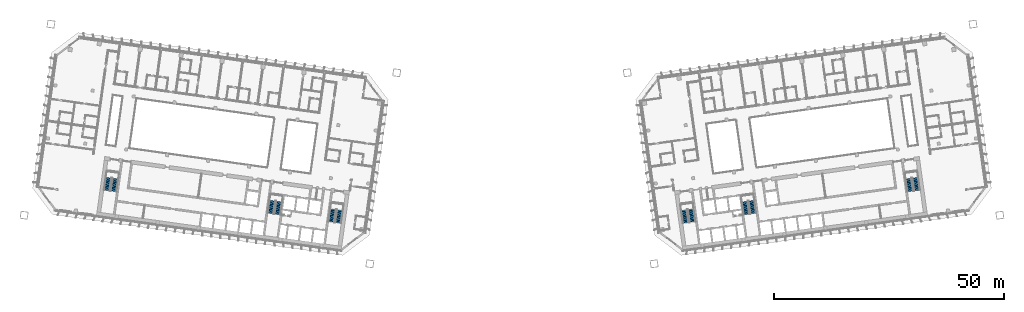
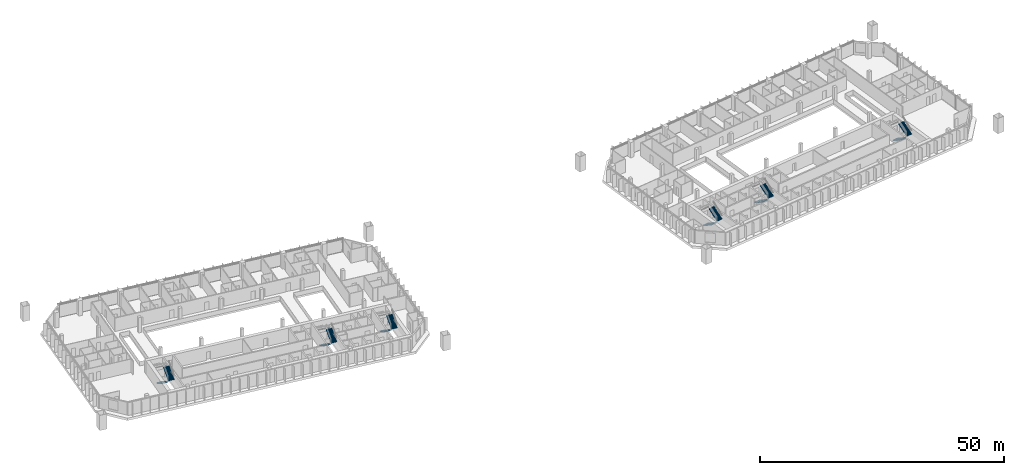
# One storey, part 22 of 25: 12 stair flights, 6 elements without a shape of their own.
"""IFC4 building model written with IfcOpenShell, lengths in metres."""

from ifc_helpers import new_model, si_unit, direction, frame, origin, place, context, subcontext, project, spatial, polyline, outline, extrude, material, type_object, element, aggregate, save


model = new_model("IFC4")

# Units and contexts
model_context = context("Model", 3, precision=1e-05, world=origin(), true_north=direction((0.0, 1.0)))
body_context = subcontext(model_context, "Body", "Model", "MODEL_VIEW")
ifc_project = project(units=[si_unit("LENGTHUNIT", "METRE"), si_unit("AREAUNIT", "SQUARE_METRE"), si_unit("VOLUMEUNIT", "CUBIC_METRE"), si_unit("PLANEANGLEUNIT", "RADIAN"), si_unit("MASSUNIT", "GRAM", prefix="KILO")], contexts=[model_context])

# Site, building, storey
site_placement = place(None, origin())
site = spatial("IfcSite", under=ifc_project, at=site_placement, CompositionType="ELEMENT")
building_placement = place(site_placement, origin())
building = spatial("IfcBuilding", under=site, at=building_placement, Name="Mirante Cascada Hotel Towers", CompositionType="ELEMENT")
storey_placement = place(building_placement, frame((0.0, 0.0, 102.5)))
storey = spatial("IfcBuildingStorey", under=building, at=storey_placement, Name="L22", CompositionType="ELEMENT", Elevation=102.5)

# Stair, stair flights
ifc_material_1 = material(Name="Concrete C35/45", Category="concrete")
stair_type = type_object("IfcStairType", Name="Exit stair half-turn 1350 concrete C35/45", PredefinedType="HALF_TURN_STAIR", material=ifc_material_1)
stair_1_placement = place(storey_placement, origin())
stair_1 = element("IfcStair", 1, at=stair_1_placement, inside=storey, type_object=stair_type, Name="L22 Exit stair A", PredefinedType="HALF_TURN_STAIR")
ifc_material_2 = material(Name="Concrete C35/45", Category="concrete")
stair_flight_type = type_object("IfcStairFlightType", Name="Exit stair flight 1350 concrete C35/45", PredefinedType="STRAIGHT", material=ifc_material_2)
stair_flight_1_placement = place(storey_placement, frame((-38.9417, -11.195, 0.0), z_axis=(0.0, 0.0, 1.0), x_axis=(-0.1391731, -0.9902681, 0.0)))
stair_flight_1 = element("IfcStairFlight", 2, at=stair_flight_1_placement, type_object=stair_flight_type, Name="ST1-A flight 1", NumberOfRisers=11, NumberOfTreads=10, PredefinedType="STRAIGHT", RiserHeight=0.172727273, TreadLength=0.28, context=body_context, shape_type="SweptSolid", body=[
    extrude(outline(polyline([(0.0, 0.0), (0.0, 0.1727), (0.28, 0.1727), (0.28, 0.3455), (0.56, 0.3455), (0.56, 0.5182), (0.84, 0.5182), (0.84, 0.6909), (1.12, 0.6909), (1.12, 0.8636), (1.4, 0.8636), (1.4, 1.0364), (1.68, 1.0364), (1.68, 1.2091), (1.96, 1.2091), (1.96, 1.3818), (2.24, 1.3818), (2.24, 1.5545), (2.52, 1.5545), (2.52, 1.7273), (2.8, 1.7273), (2.8, 1.9), (2.8, 1.551), (0.2857, 0.0), (0.0, 0.0)])), frame((0.0, 0.675, 0.0), z_axis=(0.0, -1.0, 0.0), x_axis=(1.0, 0.0, 0.0)), (0.0, 0.0, 1.0), 1.35),
])
stair_flight_2_placement = place(storey_placement, frame((-37.846, -14.1765, 1.9), z_axis=(0.0, 0.0, 1.0), x_axis=(0.1391731, 0.9902681, 0.0)))
stair_flight_2 = element("IfcStairFlight", 3, at=stair_flight_2_placement, type_object=stair_flight_type, Name="ST1-A flight 2", NumberOfRisers=11, NumberOfTreads=10, PredefinedType="STRAIGHT", RiserHeight=0.172727273, TreadLength=0.28, context=body_context, shape_type="SweptSolid", body=[
    extrude(outline(polyline([(0.0, 0.0), (0.0, 0.1727), (0.28, 0.1727), (0.28, 0.3455), (0.56, 0.3455), (0.56, 0.5182), (0.84, 0.5182), (0.84, 0.6909), (1.12, 0.6909), (1.12, 0.8636), (1.4, 0.8636), (1.4, 1.0364), (1.68, 1.0364), (1.68, 1.2091), (1.96, 1.2091), (1.96, 1.3818), (2.24, 1.3818), (2.24, 1.5545), (2.52, 1.5545), (2.52, 1.7273), (2.8, 1.7273), (2.8, 1.9), (2.8, 1.551), (0.2857, 0.0), (0.0, 0.0)])), frame((0.0, 0.675, 0.0), z_axis=(0.0, -1.0, 0.0), x_axis=(1.0, 0.0, 0.0)), (0.0, 0.0, 1.0), 1.35),
])
aggregate(stair_1, [stair_flight_1, stair_flight_2])

stair_2_placement = place(storey_placement, origin())
stair_2 = element("IfcStair", 4, at=stair_2_placement, inside=storey, type_object=stair_type, Name="L22 Exit stair B", PredefinedType="HALF_TURN_STAIR")
stair_flight_3_placement = place(storey_placement, frame((-52.1618, -9.3371, 0.0), z_axis=(0.0, 0.0, 1.0), x_axis=(-0.1391731, -0.9902681, 0.0)))
stair_flight_3 = element("IfcStairFlight", 5, at=stair_flight_3_placement, type_object=stair_flight_type, Name="ST1-B flight 1", NumberOfRisers=11, NumberOfTreads=10, PredefinedType="STRAIGHT", RiserHeight=0.172727273, TreadLength=0.28, context=body_context, shape_type="SweptSolid", body=[
    extrude(outline(polyline([(0.0, 0.0), (0.0, 0.1727), (0.28, 0.1727), (0.28, 0.3455), (0.56, 0.3455), (0.56, 0.5182), (0.84, 0.5182), (0.84, 0.6909), (1.12, 0.6909), (1.12, 0.8636), (1.4, 0.8636), (1.4, 1.0364), (1.68, 1.0364), (1.68, 1.2091), (1.96, 1.2091), (1.96, 1.3818), (2.24, 1.3818), (2.24, 1.5545), (2.52, 1.5545), (2.52, 1.7273), (2.8, 1.7273), (2.8, 1.9), (2.8, 1.551), (0.2857, 0.0), (0.0, 0.0)])), frame((0.0, 0.675, 0.0), z_axis=(0.0, -1.0, 0.0), x_axis=(1.0, 0.0, 0.0)), (0.0, 0.0, 1.0), 1.35),
])
stair_flight_4_placement = place(storey_placement, frame((-51.0661, -12.3186, 1.9), z_axis=(0.0, 0.0, 1.0), x_axis=(0.1391731, 0.9902681, 0.0)))
stair_flight_4 = element("IfcStairFlight", 6, at=stair_flight_4_placement, type_object=stair_flight_type, Name="ST1-B flight 2", NumberOfRisers=11, NumberOfTreads=10, PredefinedType="STRAIGHT", RiserHeight=0.172727273, TreadLength=0.28, context=body_context, shape_type="SweptSolid", body=[
    extrude(outline(polyline([(0.0, 0.0), (0.0, 0.1727), (0.28, 0.1727), (0.28, 0.3455), (0.56, 0.3455), (0.56, 0.5182), (0.84, 0.5182), (0.84, 0.6909), (1.12, 0.6909), (1.12, 0.8636), (1.4, 0.8636), (1.4, 1.0364), (1.68, 1.0364), (1.68, 1.2091), (1.96, 1.2091), (1.96, 1.3818), (2.24, 1.3818), (2.24, 1.5545), (2.52, 1.5545), (2.52, 1.7273), (2.8, 1.7273), (2.8, 1.9), (2.8, 1.551), (0.2857, 0.0), (0.0, 0.0)])), frame((0.0, 0.675, 0.0), z_axis=(0.0, -1.0, 0.0), x_axis=(1.0, 0.0, 0.0)), (0.0, 0.0, 1.0), 1.35),
])
aggregate(stair_2, [stair_flight_3, stair_flight_4])

stair_3_placement = place(storey_placement, origin())
stair_3 = element("IfcStair", 7, at=stair_3_placement, inside=storey, type_object=stair_type, Name="L22 Exit stair C", PredefinedType="HALF_TURN_STAIR")
stair_flight_5_placement = place(storey_placement, frame((-87.8115, -4.3268, 0.0), z_axis=(0.0, 0.0, 1.0), x_axis=(-0.1391731, -0.9902681, 0.0)))
stair_flight_5 = element("IfcStairFlight", 8, at=stair_flight_5_placement, type_object=stair_flight_type, Name="ST1-C flight 1", NumberOfRisers=11, NumberOfTreads=10, PredefinedType="STRAIGHT", RiserHeight=0.172727273, TreadLength=0.28, context=body_context, shape_type="SweptSolid", body=[
    extrude(outline(polyline([(0.0, 0.0), (0.0, 0.1727), (0.28, 0.1727), (0.28, 0.3455), (0.56, 0.3455), (0.56, 0.5182), (0.84, 0.5182), (0.84, 0.6909), (1.12, 0.6909), (1.12, 0.8636), (1.4, 0.8636), (1.4, 1.0364), (1.68, 1.0364), (1.68, 1.2091), (1.96, 1.2091), (1.96, 1.3818), (2.24, 1.3818), (2.24, 1.5545), (2.52, 1.5545), (2.52, 1.7273), (2.8, 1.7273), (2.8, 1.9), (2.8, 1.551), (0.2857, 0.0), (0.0, 0.0)])), frame((0.0, 0.675, 0.0), z_axis=(0.0, -1.0, 0.0), x_axis=(1.0, 0.0, 0.0)), (0.0, 0.0, 1.0), 1.35),
])
stair_flight_6_placement = place(storey_placement, frame((-86.7157, -7.3084, 1.9), z_axis=(0.0, 0.0, 1.0), x_axis=(0.1391731, 0.9902681, 0.0)))
stair_flight_6 = element("IfcStairFlight", 9, at=stair_flight_6_placement, type_object=stair_flight_type, Name="ST1-C flight 2", NumberOfRisers=11, NumberOfTreads=10, PredefinedType="STRAIGHT", RiserHeight=0.172727273, TreadLength=0.28, context=body_context, shape_type="SweptSolid", body=[
    extrude(outline(polyline([(0.0, 0.0), (0.0, 0.1727), (0.28, 0.1727), (0.28, 0.3455), (0.56, 0.3455), (0.56, 0.5182), (0.84, 0.5182), (0.84, 0.6909), (1.12, 0.6909), (1.12, 0.8636), (1.4, 0.8636), (1.4, 1.0364), (1.68, 1.0364), (1.68, 1.2091), (1.96, 1.2091), (1.96, 1.3818), (2.24, 1.3818), (2.24, 1.5545), (2.52, 1.5545), (2.52, 1.7273), (2.8, 1.7273), (2.8, 1.9), (2.8, 1.551), (0.2857, 0.0), (0.0, 0.0)])), frame((0.0, 0.675, 0.0), z_axis=(0.0, -1.0, 0.0), x_axis=(1.0, 0.0, 0.0)), (0.0, 0.0, 1.0), 1.35),
])
aggregate(stair_3, [stair_flight_5, stair_flight_6])

stair_4_placement = place(storey_placement, origin())
stair_4 = element("IfcStair", 10, at=stair_4_placement, inside=storey, type_object=stair_type, Name="L22 Exit stair A", PredefinedType="HALF_TURN_STAIR")
stair_flight_7_placement = place(storey_placement, frame((37.4563, -11.4038, 0.0), z_axis=(0.0, 0.0, 1.0), x_axis=(0.1391731, -0.9902681, 0.0)))
stair_flight_7 = element("IfcStairFlight", 11, at=stair_flight_7_placement, type_object=stair_flight_type, Name="ST2-A flight 1", NumberOfRisers=11, NumberOfTreads=10, PredefinedType="STRAIGHT", RiserHeight=0.172727273, TreadLength=0.28, context=body_context, shape_type="SweptSolid", body=[
    extrude(outline(polyline([(0.0, 0.0), (0.0, 0.1727), (0.28, 0.1727), (0.28, 0.3455), (0.56, 0.3455), (0.56, 0.5182), (0.84, 0.5182), (0.84, 0.6909), (1.12, 0.6909), (1.12, 0.8636), (1.4, 0.8636), (1.4, 1.0364), (1.68, 1.0364), (1.68, 1.2091), (1.96, 1.2091), (1.96, 1.3818), (2.24, 1.3818), (2.24, 1.5545), (2.52, 1.5545), (2.52, 1.7273), (2.8, 1.7273), (2.8, 1.9), (2.8, 1.551), (0.2857, 0.0), (0.0, 0.0)])), frame((0.0, 0.675, 0.0), z_axis=(0.0, -1.0, 0.0), x_axis=(1.0, 0.0, 0.0)), (0.0, 0.0, 1.0), 1.35),
])
stair_flight_8_placement = place(storey_placement, frame((39.3314, -13.9678, 1.9), z_axis=(0.0, 0.0, 1.0), x_axis=(-0.1391731, 0.9902681, 0.0)))
stair_flight_8 = element("IfcStairFlight", 12, at=stair_flight_8_placement, type_object=stair_flight_type, Name="ST2-A flight 2", NumberOfRisers=11, NumberOfTreads=10, PredefinedType="STRAIGHT", RiserHeight=0.172727273, TreadLength=0.28, context=body_context, shape_type="SweptSolid", body=[
    extrude(outline(polyline([(0.0, 0.0), (0.0, 0.1727), (0.28, 0.1727), (0.28, 0.3455), (0.56, 0.3455), (0.56, 0.5182), (0.84, 0.5182), (0.84, 0.6909), (1.12, 0.6909), (1.12, 0.8636), (1.4, 0.8636), (1.4, 1.0364), (1.68, 1.0364), (1.68, 1.2091), (1.96, 1.2091), (1.96, 1.3818), (2.24, 1.3818), (2.24, 1.5545), (2.52, 1.5545), (2.52, 1.7273), (2.8, 1.7273), (2.8, 1.9), (2.8, 1.551), (0.2857, 0.0), (0.0, 0.0)])), frame((0.0, 0.675, 0.0), z_axis=(0.0, -1.0, 0.0), x_axis=(1.0, 0.0, 0.0)), (0.0, 0.0, 1.0), 1.35),
])
aggregate(stair_4, [stair_flight_7, stair_flight_8])

stair_5_placement = place(storey_placement, origin())
stair_5 = element("IfcStair", 13, at=stair_5_placement, inside=storey, type_object=stair_type, Name="L22 Exit stair B", PredefinedType="HALF_TURN_STAIR")
stair_flight_9_placement = place(storey_placement, frame((50.6764, -9.5458, 0.0), z_axis=(0.0, 0.0, 1.0), x_axis=(0.1391731, -0.9902681, 0.0)))
stair_flight_9 = element("IfcStairFlight", 14, at=stair_flight_9_placement, type_object=stair_flight_type, Name="ST2-B flight 1", NumberOfRisers=11, NumberOfTreads=10, PredefinedType="STRAIGHT", RiserHeight=0.172727273, TreadLength=0.28, context=body_context, shape_type="SweptSolid", body=[
    extrude(outline(polyline([(0.0, 0.0), (0.0, 0.1727), (0.28, 0.1727), (0.28, 0.3455), (0.56, 0.3455), (0.56, 0.5182), (0.84, 0.5182), (0.84, 0.6909), (1.12, 0.6909), (1.12, 0.8636), (1.4, 0.8636), (1.4, 1.0364), (1.68, 1.0364), (1.68, 1.2091), (1.96, 1.2091), (1.96, 1.3818), (2.24, 1.3818), (2.24, 1.5545), (2.52, 1.5545), (2.52, 1.7273), (2.8, 1.7273), (2.8, 1.9), (2.8, 1.551), (0.2857, 0.0), (0.0, 0.0)])), frame((0.0, 0.675, 0.0), z_axis=(0.0, -1.0, 0.0), x_axis=(1.0, 0.0, 0.0)), (0.0, 0.0, 1.0), 1.35),
])
stair_flight_10_placement = place(storey_placement, frame((52.5515, -12.1098, 1.9), z_axis=(0.0, 0.0, 1.0), x_axis=(-0.1391731, 0.9902681, 0.0)))
stair_flight_10 = element("IfcStairFlight", 15, at=stair_flight_10_placement, type_object=stair_flight_type, Name="ST2-B flight 2", NumberOfRisers=11, NumberOfTreads=10, PredefinedType="STRAIGHT", RiserHeight=0.172727273, TreadLength=0.28, context=body_context, shape_type="SweptSolid", body=[
    extrude(outline(polyline([(0.0, 0.0), (0.0, 0.1727), (0.28, 0.1727), (0.28, 0.3455), (0.56, 0.3455), (0.56, 0.5182), (0.84, 0.5182), (0.84, 0.6909), (1.12, 0.6909), (1.12, 0.8636), (1.4, 0.8636), (1.4, 1.0364), (1.68, 1.0364), (1.68, 1.2091), (1.96, 1.2091), (1.96, 1.3818), (2.24, 1.3818), (2.24, 1.5545), (2.52, 1.5545), (2.52, 1.7273), (2.8, 1.7273), (2.8, 1.9), (2.8, 1.551), (0.2857, 0.0), (0.0, 0.0)])), frame((0.0, 0.675, 0.0), z_axis=(0.0, -1.0, 0.0), x_axis=(1.0, 0.0, 0.0)), (0.0, 0.0, 1.0), 1.35),
])
aggregate(stair_5, [stair_flight_9, stair_flight_10])

stair_6_placement = place(storey_placement, origin())
stair_6 = element("IfcStair", 16, at=stair_6_placement, inside=storey, type_object=stair_type, Name="L22 Exit stair C", PredefinedType="HALF_TURN_STAIR")
stair_flight_11_placement = place(storey_placement, frame((86.326, -4.5356, 0.0), z_axis=(0.0, 0.0, 1.0), x_axis=(0.1391731, -0.9902681, 0.0)))
stair_flight_11 = element("IfcStairFlight", 17, at=stair_flight_11_placement, type_object=stair_flight_type, Name="ST2-C flight 1", NumberOfRisers=11, NumberOfTreads=10, PredefinedType="STRAIGHT", RiserHeight=0.172727273, TreadLength=0.28, context=body_context, shape_type="SweptSolid", body=[
    extrude(outline(polyline([(0.0, 0.0), (0.0, 0.1727), (0.28, 0.1727), (0.28, 0.3455), (0.56, 0.3455), (0.56, 0.5182), (0.84, 0.5182), (0.84, 0.6909), (1.12, 0.6909), (1.12, 0.8636), (1.4, 0.8636), (1.4, 1.0364), (1.68, 1.0364), (1.68, 1.2091), (1.96, 1.2091), (1.96, 1.3818), (2.24, 1.3818), (2.24, 1.5545), (2.52, 1.5545), (2.52, 1.7273), (2.8, 1.7273), (2.8, 1.9), (2.8, 1.551), (0.2857, 0.0), (0.0, 0.0)])), frame((0.0, 0.675, 0.0), z_axis=(0.0, -1.0, 0.0), x_axis=(1.0, 0.0, 0.0)), (0.0, 0.0, 1.0), 1.35),
])
stair_flight_12_placement = place(storey_placement, frame((88.2011, -7.0996, 1.9), z_axis=(0.0, 0.0, 1.0), x_axis=(-0.1391731, 0.9902681, 0.0)))
stair_flight_12 = element("IfcStairFlight", 18, at=stair_flight_12_placement, type_object=stair_flight_type, Name="ST2-C flight 2", NumberOfRisers=11, NumberOfTreads=10, PredefinedType="STRAIGHT", RiserHeight=0.172727273, TreadLength=0.28, context=body_context, shape_type="SweptSolid", body=[
    extrude(outline(polyline([(0.0, 0.0), (0.0, 0.1727), (0.28, 0.1727), (0.28, 0.3455), (0.56, 0.3455), (0.56, 0.5182), (0.84, 0.5182), (0.84, 0.6909), (1.12, 0.6909), (1.12, 0.8636), (1.4, 0.8636), (1.4, 1.0364), (1.68, 1.0364), (1.68, 1.2091), (1.96, 1.2091), (1.96, 1.3818), (2.24, 1.3818), (2.24, 1.5545), (2.52, 1.5545), (2.52, 1.7273), (2.8, 1.7273), (2.8, 1.9), (2.8, 1.551), (0.2857, 0.0), (0.0, 0.0)])), frame((0.0, 0.675, 0.0), z_axis=(0.0, -1.0, 0.0), x_axis=(1.0, 0.0, 0.0)), (0.0, 0.0, 1.0), 1.35),
])
aggregate(stair_6, [stair_flight_11, stair_flight_12])

save(model, "model.ifc")
